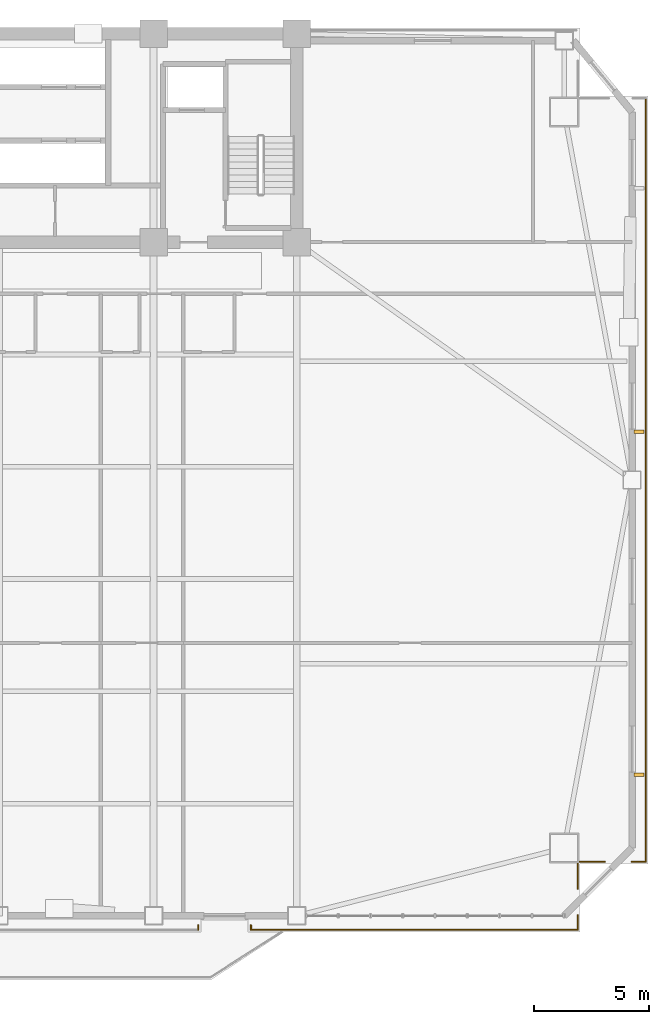
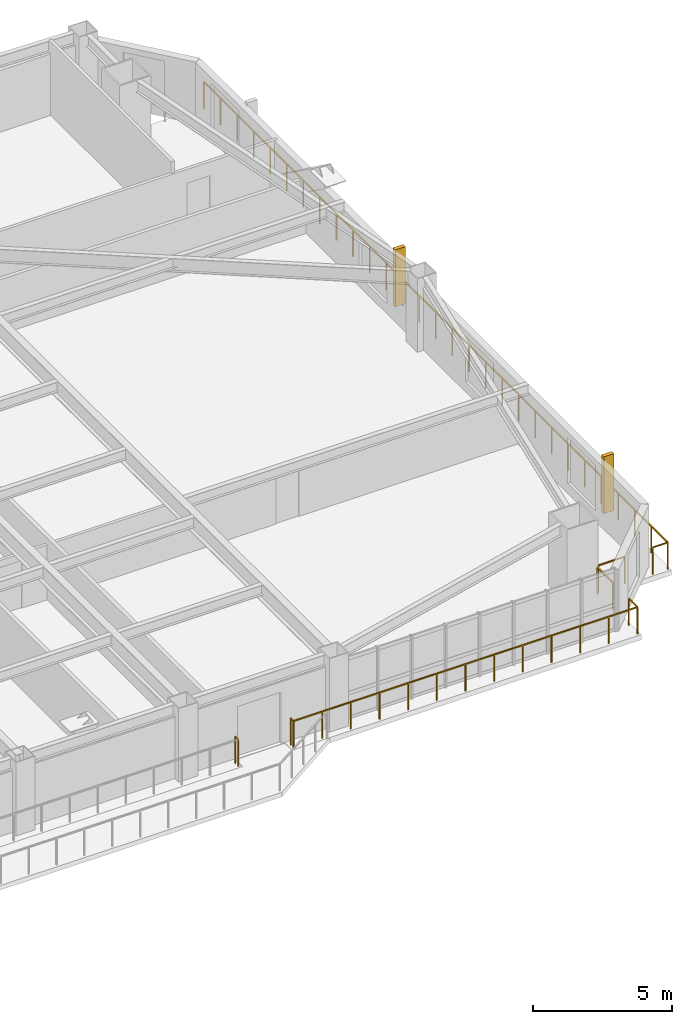
# One storey, part 15 of 17: 8 railings, 2 shading devices.
"""IFC4 building model written with IfcOpenShell, lengths in metres."""

from ifc_helpers import new_model, si_unit, direction, frame, origin, origin_2d, place, context, subcontext, project, spatial, rectangle, extrude, source, transform, mapped, material, type_object, element, save


model = new_model("IFC4")

# Units and contexts
model_context = context("Model", 3, precision=1e-05, world=origin(), true_north=direction((0.0, 1.0)))
body_context = subcontext(model_context, "Body", "Model", "MODEL_VIEW")
ifc_project = project(units=[si_unit("LENGTHUNIT", "METRE"), si_unit("AREAUNIT", "SQUARE_METRE"), si_unit("VOLUMEUNIT", "CUBIC_METRE"), si_unit("PLANEANGLEUNIT", "RADIAN"), si_unit("MASSUNIT", "GRAM", prefix="KILO")], contexts=[model_context])

# Site, building, storey
site_placement = place(None, origin())
site = spatial("IfcSite", under=ifc_project, at=site_placement, CompositionType="ELEMENT")
building_placement = place(site_placement, origin())
building = spatial("IfcBuilding", under=site, at=building_placement, Name="Giltprow Tower", CompositionType="ELEMENT")
storey_placement = place(building_placement, frame((0.0, 0.0, 141.199951171875)))
storey = spatial("IfcBuildingStorey", under=building, at=storey_placement, Name="L34", CompositionType="ELEMENT", Elevation=141.199951171875)

# Railings
ifc_material = material(Name="Anodized bronze", Category="metal")
railing_type = type_object("IfcRailingType", Name="RAIL-BALC-GUARD-1200", PredefinedType="BALUSTRADE", material=ifc_material)
railing_1_placement = place(storey_placement, frame((65.785888671875, 43.73388671875, 0.0)))
element("IfcRailing", 1, at=railing_1_placement, inside=storey, type_object=railing_type, Name="L34 Corner Apron Edge Balustrade 14", PredefinedType="BALUSTRADE", context=body_context, shape_type="SweptSolid", body=[
    extrude(rectangle(XDim=0.048095703125, YDim=0.048095703125, at=origin_2d()), frame((0.0, 0.0, 1.17578125), z_axis=(0.0, -1.0, 0.0), x_axis=(1.0, 0.0, 0.0)), (0.0, 0.0, 1.0), 33.324951171875),
    extrude(rectangle(XDim=0.0419921875, YDim=0.0419921875, at=origin_2d()), origin(), (0.0, 0.0, 1.0), 1.15185546875),
    extrude(rectangle(XDim=0.0419921875, YDim=0.0419921875, at=origin_2d()), frame((0.0, -1.190185546875, 0.0)), (0.0, 0.0, 1.0), 1.15185546875),
    extrude(rectangle(XDim=0.0419921875, YDim=0.0419921875, at=origin_2d()), frame((0.0, -2.38037109375, 0.0)), (0.0, 0.0, 1.0), 1.15185546875),
    extrude(rectangle(XDim=0.0419921875, YDim=0.0419921875, at=origin_2d()), frame((0.0, -3.570556640625, 0.0)), (0.0, 0.0, 1.0), 1.15185546875),
    extrude(rectangle(XDim=0.0419921875, YDim=0.0419921875, at=origin_2d()), frame((0.0, -4.7607421875, 0.0)), (0.0, 0.0, 1.0), 1.15185546875),
    extrude(rectangle(XDim=0.0419921875, YDim=0.0419921875, at=origin_2d()), frame((0.0, -5.950927734375, 0.0)), (0.0, 0.0, 1.0), 1.15185546875),
    extrude(rectangle(XDim=0.0419921875, YDim=0.0419921875, at=origin_2d()), frame((0.0, -7.14111328125, 0.0)), (0.0, 0.0, 1.0), 1.15185546875),
    extrude(rectangle(XDim=0.0419921875, YDim=0.0419921875, at=origin_2d()), frame((0.0, -8.331298828125, 0.0)), (0.0, 0.0, 1.0), 1.15185546875),
    extrude(rectangle(XDim=0.0419921875, YDim=0.0419921875, at=origin_2d()), frame((0.0, -9.521484375, 0.0)), (0.0, 0.0, 1.0), 1.15185546875),
    extrude(rectangle(XDim=0.0419921875, YDim=0.0419921875, at=origin_2d()), frame((0.0, -10.711669921875, 0.0)), (0.0, 0.0, 1.0), 1.15185546875),
    extrude(rectangle(XDim=0.0419921875, YDim=0.0419921875, at=origin_2d()), frame((0.0, -11.90185546875, 0.0)), (0.0, 0.0, 1.0), 1.15185546875),
    extrude(rectangle(XDim=0.0419921875, YDim=0.0419921875, at=origin_2d()), frame((0.0, -13.092041015625, 0.0)), (0.0, 0.0, 1.0), 1.15185546875),
    extrude(rectangle(XDim=0.0419921875, YDim=0.0419921875, at=origin_2d()), frame((0.0, -14.2822265625, 0.0)), (0.0, 0.0, 1.0), 1.15185546875),
    extrude(rectangle(XDim=0.0419921875, YDim=0.0419921875, at=origin_2d()), frame((0.0, -15.472412109375, 0.0)), (0.0, 0.0, 1.0), 1.15185546875),
    extrude(rectangle(XDim=0.0419921875, YDim=0.0419921875, at=origin_2d()), frame((0.0, -16.66259765625, 0.0)), (0.0, 0.0, 1.0), 1.15185546875),
    extrude(rectangle(XDim=0.0419921875, YDim=0.0419921875, at=origin_2d()), frame((0.0, -17.8525390625, 0.0)), (0.0, 0.0, 1.0), 1.15185546875),
    extrude(rectangle(XDim=0.0419921875, YDim=0.0419921875, at=origin_2d()), frame((0.0, -19.042724609375, 0.0)), (0.0, 0.0, 1.0), 1.15185546875),
    extrude(rectangle(XDim=0.0419921875, YDim=0.0419921875, at=origin_2d()), frame((0.0, -20.23291015625, 0.0)), (0.0, 0.0, 1.0), 1.15185546875),
    extrude(rectangle(XDim=0.0419921875, YDim=0.0419921875, at=origin_2d()), frame((0.0, -21.423095703125, 0.0)), (0.0, 0.0, 1.0), 1.15185546875),
    extrude(rectangle(XDim=0.0419921875, YDim=0.0419921875, at=origin_2d()), frame((0.0, -22.61328125, 0.0)), (0.0, 0.0, 1.0), 1.15185546875),
    extrude(rectangle(XDim=0.0419921875, YDim=0.0419921875, at=origin_2d()), frame((0.0, -23.803466796875, 0.0)), (0.0, 0.0, 1.0), 1.15185546875),
    extrude(rectangle(XDim=0.0419921875, YDim=0.0419921875, at=origin_2d()), frame((0.0, -24.99365234375, 0.0)), (0.0, 0.0, 1.0), 1.15185546875),
    extrude(rectangle(XDim=0.0419921875, YDim=0.0419921875, at=origin_2d()), frame((0.0, -26.183837890625, 0.0)), (0.0, 0.0, 1.0), 1.15185546875),
    extrude(rectangle(XDim=0.0419921875, YDim=0.0419921875, at=origin_2d()), frame((0.0, -27.3740234375, 0.0)), (0.0, 0.0, 1.0), 1.15185546875),
    extrude(rectangle(XDim=0.0419921875, YDim=0.0419921875, at=origin_2d()), frame((0.0, -28.564208984375, 0.0)), (0.0, 0.0, 1.0), 1.15185546875),
    extrude(rectangle(XDim=0.0419921875, YDim=0.0419921875, at=origin_2d()), frame((0.0, -29.75439453125, 0.0)), (0.0, 0.0, 1.0), 1.15185546875),
    extrude(rectangle(XDim=0.0419921875, YDim=0.0419921875, at=origin_2d()), frame((0.0, -30.944580078125, 0.0)), (0.0, 0.0, 1.0), 1.15185546875),
    extrude(rectangle(XDim=0.0419921875, YDim=0.0419921875, at=origin_2d()), frame((0.0, -32.134765625, 0.0)), (0.0, 0.0, 1.0), 1.15185546875),
    extrude(rectangle(XDim=0.0419921875, YDim=0.0419921875, at=origin_2d()), frame((0.0, -33.324951171875, 0.0)), (0.0, 0.0, 1.0), 1.15185546875),
])
railing_2_placement = place(storey_placement, frame((65.785888671875, 10.408935546875, 0.0)))
element("IfcRailing", 2, at=railing_2_placement, inside=storey, type_object=railing_type, Name="L34 Corner Apron Edge Balustrade 15", PredefinedType="BALUSTRADE", context=body_context, shape_type="SweptSolid", body=[
    extrude(rectangle(XDim=0.048095703125, YDim=0.048095703125, at=origin_2d()), frame((0.0, 0.0, 1.17578125), z_axis=(-1.0, 0.0, 0.0), x_axis=(0.0, -1.0, 0.0)), (0.0, 0.0, 1.0), 0.620849609375),
    extrude(rectangle(XDim=0.0419921875, YDim=0.0419921875, at=origin_2d()), origin(), (0.0, 0.0, 1.0), 1.15185546875),
    extrude(rectangle(XDim=0.0419921875, YDim=0.0419921875, at=origin_2d()), frame((-0.620849609375, 0.0, 0.0)), (0.0, 0.0, 1.0), 1.15185546875),
])
railing_3_placement = place(storey_placement, frame((64.0048828125, 10.408935546875, 0.0)))
element("IfcRailing", 3, at=railing_3_placement, inside=storey, type_object=railing_type, Name="L34 Corner Apron Edge Balustrade 16", PredefinedType="BALUSTRADE", context=body_context, shape_type="SweptSolid", body=[
    extrude(rectangle(XDim=0.048095703125, YDim=0.048095703125, at=origin_2d()), frame((0.0, 0.0, 1.17578125), z_axis=(-1.0, 0.0, 0.0), x_axis=(0.0, -1.0, 0.0)), (0.0, 0.0, 1.0), 1.098876953125),
    extrude(rectangle(XDim=0.0419921875, YDim=0.0419921875, at=origin_2d()), origin(), (0.0, 0.0, 1.0), 1.15185546875),
    extrude(rectangle(XDim=0.0419921875, YDim=0.0419921875, at=origin_2d()), frame((-1.098876953125, 0.0, 0.0)), (0.0, 0.0, 1.0), 1.15185546875),
])
railing_4_placement = place(storey_placement, frame((62.821044921875, 10.324951171875, 0.0)))
element("IfcRailing", 4, at=railing_4_placement, inside=storey, type_object=railing_type, Name="L34 Corner Apron Edge Balustrade 17", PredefinedType="BALUSTRADE", context=body_context, shape_type="SweptSolid", body=[
    extrude(rectangle(XDim=0.048095703125, YDim=0.048095703125, at=origin_2d()), frame((0.0, 0.0, 1.17578125), z_axis=(0.0, -1.0, 0.0), x_axis=(1.0, 0.0, 0.0)), (0.0, 0.0, 1.0), 1.099853515625),
    extrude(rectangle(XDim=0.0419921875, YDim=0.0419921875, at=origin_2d()), origin(), (0.0, 0.0, 1.0), 1.15185546875),
    extrude(rectangle(XDim=0.0419921875, YDim=0.0419921875, at=origin_2d()), frame((0.0, -1.099853515625, 0.0)), (0.0, 0.0, 1.0), 1.15185546875),
])
railing_5_placement = place(storey_placement, frame((62.821044921875, 8.06494140625, 0.0)))
element("IfcRailing", 5, at=railing_5_placement, inside=storey, type_object=railing_type, Name="L34 Corner Apron Edge Balustrade 18", PredefinedType="BALUSTRADE", context=body_context, shape_type="SweptSolid", body=[
    extrude(rectangle(XDim=0.048095703125, YDim=0.048095703125, at=origin_2d()), frame((0.0, 0.0, 1.17578125), z_axis=(0.0, -1.0, 0.0), x_axis=(1.0, 0.0, 0.0)), (0.0, 0.0, 1.0), 0.619873046875),
    extrude(rectangle(XDim=0.0419921875, YDim=0.0419921875, at=origin_2d()), origin(), (0.0, 0.0, 1.0), 1.15185546875),
    extrude(rectangle(XDim=0.0419921875, YDim=0.0419921875, at=origin_2d()), frame((0.0, -0.619873046875, 0.0)), (0.0, 0.0, 1.0), 1.15185546875),
])
railing_6_placement = place(storey_placement, frame((62.821044921875, 7.445068359375, 0.0)))
element("IfcRailing", 6, at=railing_6_placement, inside=storey, type_object=railing_type, Name="L34 Corner Apron Edge Balustrade 19", PredefinedType="BALUSTRADE", context=body_context, shape_type="SweptSolid", body=[
    extrude(rectangle(XDim=0.048095703125, YDim=0.048095703125, at=origin_2d()), frame((0.0, 0.0, 1.17578125), z_axis=(-1.0, 0.0, 0.0), x_axis=(0.0, -1.0, 0.0)), (0.0, 0.0, 1.0), 14.27099609375),
    extrude(rectangle(XDim=0.0419921875, YDim=0.0419921875, at=origin_2d()), origin(), (0.0, 0.0, 1.0), 1.15185546875),
    extrude(rectangle(XDim=0.0419921875, YDim=0.0419921875, at=origin_2d()), frame((-1.189208984375, 0.0, 0.0)), (0.0, 0.0, 1.0), 1.15185546875),
    extrude(rectangle(XDim=0.0419921875, YDim=0.0419921875, at=origin_2d()), frame((-2.37841796875, 0.0, 0.0)), (0.0, 0.0, 1.0), 1.15185546875),
    extrude(rectangle(XDim=0.0419921875, YDim=0.0419921875, at=origin_2d()), frame((-3.56787109375, 0.0, 0.0)), (0.0, 0.0, 1.0), 1.15185546875),
    extrude(rectangle(XDim=0.0419921875, YDim=0.0419921875, at=origin_2d()), frame((-4.757080078125, 0.0, 0.0)), (0.0, 0.0, 1.0), 1.15185546875),
    extrude(rectangle(XDim=0.0419921875, YDim=0.0419921875, at=origin_2d()), frame((-5.9462890625, 0.0, 0.0)), (0.0, 0.0, 1.0), 1.15185546875),
    extrude(rectangle(XDim=0.0419921875, YDim=0.0419921875, at=origin_2d()), frame((-7.135498046875, 0.0, 0.0)), (0.0, 0.0, 1.0), 1.15185546875),
    extrude(rectangle(XDim=0.0419921875, YDim=0.0419921875, at=origin_2d()), frame((-8.32470703125, 0.0, 0.0)), (0.0, 0.0, 1.0), 1.15185546875),
    extrude(rectangle(XDim=0.0419921875, YDim=0.0419921875, at=origin_2d()), frame((-9.513916015625, 0.0, 0.0)), (0.0, 0.0, 1.0), 1.15185546875),
    extrude(rectangle(XDim=0.0419921875, YDim=0.0419921875, at=origin_2d()), frame((-10.703125, 0.0, 0.0)), (0.0, 0.0, 1.0), 1.15185546875),
    extrude(rectangle(XDim=0.0419921875, YDim=0.0419921875, at=origin_2d()), frame((-11.892578125, 0.0, 0.0)), (0.0, 0.0, 1.0), 1.15185546875),
    extrude(rectangle(XDim=0.0419921875, YDim=0.0419921875, at=origin_2d()), frame((-13.081787109375, 0.0, 0.0)), (0.0, 0.0, 1.0), 1.15185546875),
    extrude(rectangle(XDim=0.0419921875, YDim=0.0419921875, at=origin_2d()), frame((-14.27099609375, 0.0, 0.0)), (0.0, 0.0, 1.0), 1.15185546875),
])
railing_7_placement = place(storey_placement, frame((48.550048828125, 7.445068359375, 0.0)))
element("IfcRailing", 7, at=railing_7_placement, inside=storey, type_object=railing_type, Name="L34 Corner Apron Edge Balustrade 20", PredefinedType="BALUSTRADE", context=body_context, shape_type="SweptSolid", body=[
    extrude(rectangle(XDim=0.048095703125, YDim=0.048095703125, at=origin_2d()), frame((0.0, 0.0, 1.17578125), z_axis=(0.0, 1.0, 0.0), x_axis=(-1.0, 0.0, 0.0)), (0.0, 0.0, 1.0), 0.199951171875),
    extrude(rectangle(XDim=0.0419921875, YDim=0.0419921875, at=origin_2d()), origin(), (0.0, 0.0, 1.0), 1.15185546875),
    extrude(rectangle(XDim=0.0419921875, YDim=0.0419921875, at=origin_2d()), frame((0.0, 0.199951171875, 0.0)), (0.0, 0.0, 1.0), 1.15185546875),
])
railing_8_placement = place(storey_placement, frame((46.25, 7.64501953125, 0.0)))
element("IfcRailing", 8, at=railing_8_placement, inside=storey, type_object=railing_type, Name="L34 Corner Apron Edge Balustrade 21", PredefinedType="BALUSTRADE", context=body_context, shape_type="SweptSolid", body=[
    extrude(rectangle(XDim=0.048095703125, YDim=0.048095703125, at=origin_2d()), frame((0.0, 0.0, 1.17578125), z_axis=(0.0, -1.0, 0.0), x_axis=(1.0, 0.0, 0.0)), (0.0, 0.0, 1.0), 0.199951171875),
    extrude(rectangle(XDim=0.0419921875, YDim=0.0419921875, at=origin_2d()), origin(), (0.0, 0.0, 1.0), 1.15185546875),
    extrude(rectangle(XDim=0.0419921875, YDim=0.0419921875, at=origin_2d()), frame((0.0, -0.199951171875, 0.0)), (0.0, 0.0, 1.0), 1.15185546875),
])

# Shading devices
shading_device_type = type_object("IfcShadingDeviceType", Name="SHD-FIN-420", PredefinedType="USERDEFINED", material=ifc_material)
shared_shape = source(origin(), body_context, "Body", "SweptSolid", [
    extrude(rectangle(XDim=0.419921875, YDim=0.159912109375, at=origin_2d()), origin(), (0.0, 0.0, 1.0), 2.5),
])
for number, where, z_axis, x_axis, name in (
    (9, (65.486083984375, 14.201904296875, 0.35009765625), (0.0, 0.0, 1.0), (1.0, 0.0, 0.0), "L34 E Bronze Vertical Fin 1-1"),
    (10, (65.486083984375, 29.175048828125, 0.35009765625), (0.0, 0.0, 1.0), (1.0, 0.0, 0.0), "L34 E Bronze Vertical Fin 2-1"),
):
    element("IfcShadingDevice", number, at=place(storey_placement, frame(where, z_axis=z_axis, x_axis=x_axis)), inside=storey, type_object=shading_device_type, Name=name, ObjectType="FIN", PredefinedType="USERDEFINED", context=body_context, shape_type="MappedRepresentation", body=[
        mapped(shared_shape, transform((0.0, 0.0, 0.0), x_axis=(1.0, 0.0, 0.0), y_axis=(0.0, 1.0, 0.0), z_axis=(0.0, 0.0, 1.0), scale=1.0)),
    ])

save(model, "model.ifc")
